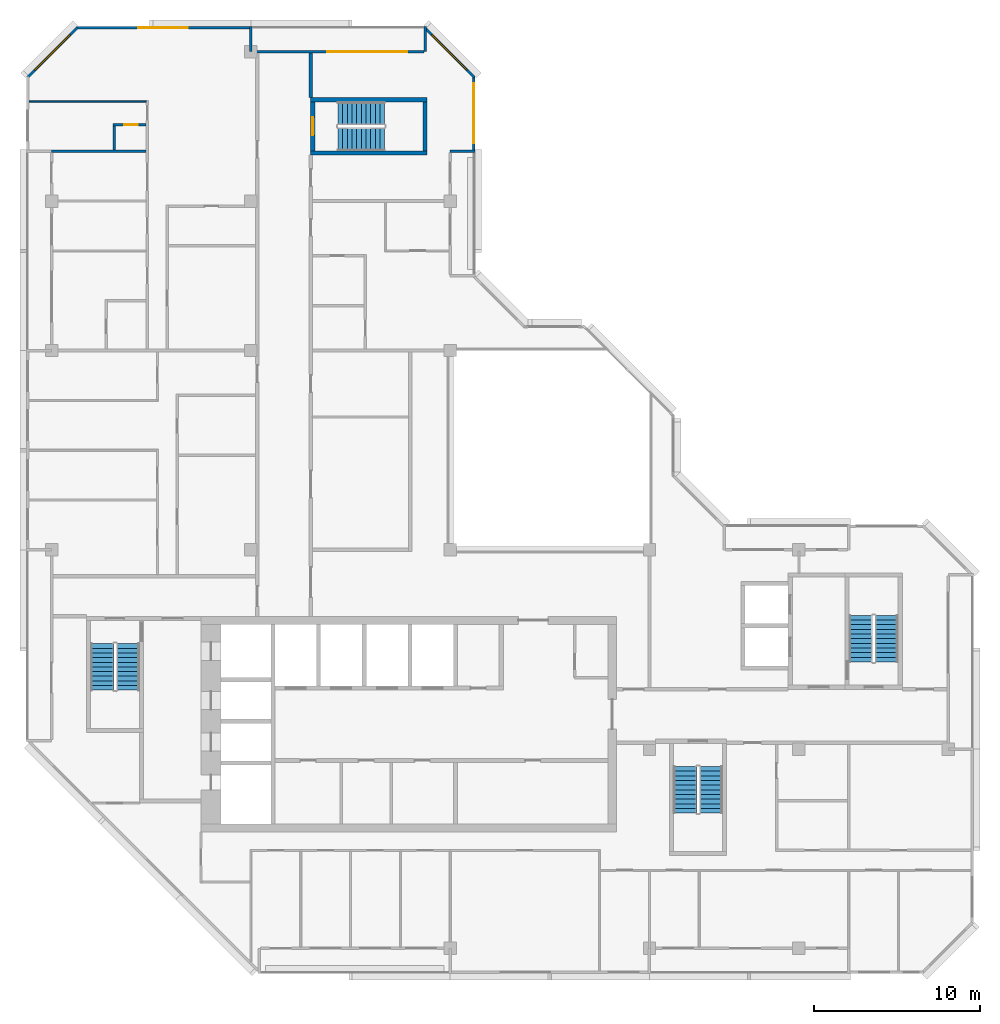
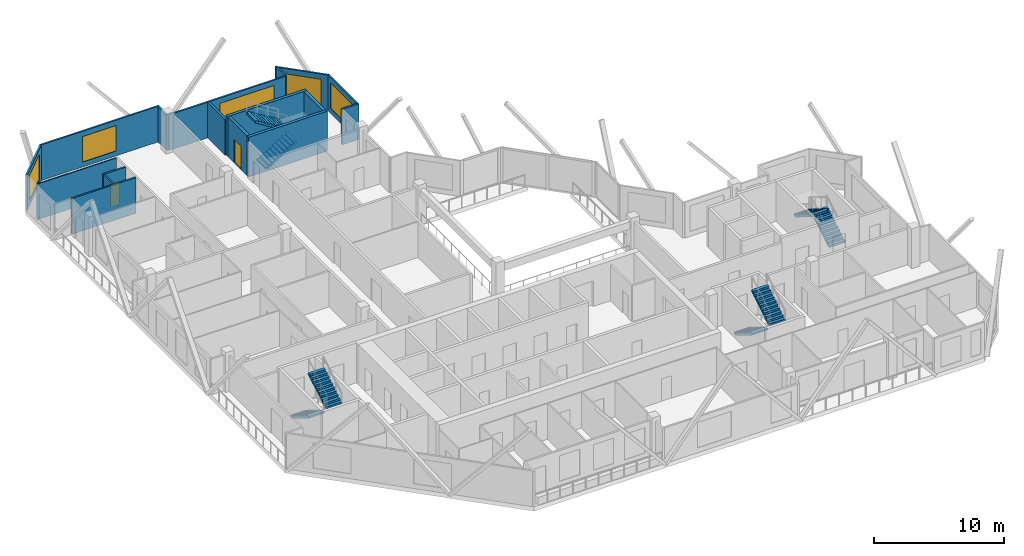
# One storey, part 9 of 11: 17 walls, 8 stair flights, 5 windows, 2 doors, 7 openings, 4 elements without a shape of their own.
"""IFC4 building model written with IfcOpenShell, lengths in metres."""

import ifcopenshell
import ifcopenshell.guid

model = None  # the IFC model being written
_history = None  # IfcOwnerHistory: only IFC2X3 demands one
_inside = {}  # id of a spatial element -> (the spatial element, [elements in it])
_under = {}  # id of a project, library or spatial element -> (it, [spatial elements below it])
_declared = {}  # id of a project -> (the project, [libraries it declares])
_typed = {}  # id of a type object -> (the type object, [elements of that type])
_made_of = {}  # id of a material, layer set ... -> (it, [elements and type objects made of it])


def new_model(schema):
    """Start an empty IFC model of exactly this schema.

    Asked for "IFC4X3", IfcOpenShell would pick the latest addendum, in which some entities
    have other attributes; the version numbers below select the first issue.
    IFC2X3 requires an IfcOwnerHistory on every rooted entity: one is made here for all.
    """
    global model, _history
    if schema == "IFC4X3":
        model = ifcopenshell.file(schema_version=(4, 3, 0, 0))
    else:
        model = ifcopenshell.file(schema=schema)
    _inside.clear()
    _under.clear()
    _declared.clear()
    _typed.clear()
    _made_of.clear()
    _history = None
    if model.schema == "IFC2X3":
        org = make("IfcOrganization", Name="unknown")
        user = make(
            "IfcPersonAndOrganization",
            ThePerson=make("IfcPerson", FamilyName="unknown"),
            TheOrganization=org,
        )
        app = make(
            "IfcApplication",
            ApplicationDeveloper=org,
            Version="unknown",
            ApplicationFullName="unknown",
            ApplicationIdentifier="unknown",
        )
        _history = make(
            "IfcOwnerHistory",
            OwningUser=user,
            OwningApplication=app,
            ChangeAction="ADDED",
            CreationDate=0,
        )
    return model


def make(cls, **values):
    """One entity of the class cls with the attributes given. An attribute that is None is left unset."""
    return model.create_entity(
        cls, **{name: value for name, value in values.items() if value is not None}
    )


def rooted(cls, **values):
    """An entity with a GlobalId (a new one), such as an element, a storey or a relation."""
    return make(cls, GlobalId=ifcopenshell.guid.new(), OwnerHistory=_history, **values)


def si_unit(unit_type, name, prefix=None):
    """IfcSIUnit, for example si_unit("LENGTHUNIT", "METRE", prefix="MILLI")."""
    return make("IfcSIUnit", UnitType=unit_type, Prefix=prefix, Name=name)


def assignment(units):
    """IfcUnitAssignment: the units of a project."""
    return None if units is None else make("IfcUnitAssignment", Units=units)


def point(xyz):
    """IfcCartesianPoint."""
    return None if xyz is None else make("IfcCartesianPoint", Coordinates=xyz)


def direction(xyz):
    """IfcDirection."""
    return None if xyz is None else make("IfcDirection", DirectionRatios=xyz)


def frame(location, z_axis=None, x_axis=None):
    """IfcAxis2Placement3D, a coordinate frame: its origin and axes. An axis left out is left unset."""
    return make(
        "IfcAxis2Placement3D",
        Location=point(location),
        Axis=direction(z_axis),
        RefDirection=direction(x_axis),
    )


def frame_2d(location, x_axis=None):
    """IfcAxis2Placement2D, a coordinate frame in the plane: its origin and x axis."""
    return make(
        "IfcAxis2Placement2D", Location=point(location), RefDirection=direction(x_axis)
    )


def origin():
    """The frame at (0, 0, 0) with its axes left unset."""
    return frame((0.0, 0.0, 0.0))


def place(relative_to, where):
    """IfcLocalPlacement: puts the frame where relative to a parent placement (None: the world)."""
    return make(
        "IfcLocalPlacement", PlacementRelTo=relative_to, RelativePlacement=where
    )


def context(
    kind, dimensions, precision=None, world=None, true_north=None, identifier=None
):
    """IfcGeometricRepresentationContext, for example the 3D "Model" context."""
    return make(
        "IfcGeometricRepresentationContext",
        ContextIdentifier=identifier,
        ContextType=kind,
        CoordinateSpaceDimension=dimensions,
        Precision=precision,
        WorldCoordinateSystem=world,
        TrueNorth=true_north,
    )


def subcontext(parent, identifier, kind, view, scale=None):
    """IfcGeometricRepresentationSubContext, for example "Body" below "Model"."""
    return make(
        "IfcGeometricRepresentationSubContext",
        ContextIdentifier=identifier,
        ContextType=kind,
        ParentContext=parent,
        TargetScale=scale,
        TargetView=view,
    )


def project(units=None, contexts=None):
    """IfcProject with its units and contexts."""
    return rooted(
        "IfcProject",
        Name="project",
        RepresentationContexts=contexts,
        UnitsInContext=assignment(units),
    )


def spatial(cls, under=None, at=None, **own):
    """A site, building, storey or space (cls), placed at a placement, below another one or the project."""
    s = rooted(cls, ObjectPlacement=at, **own)
    if under is not None:
        _under.setdefault(under.id(), (under, []))[1].append(s)
    return s


def polyline(points):
    """IfcPolyline through the points."""
    return make("IfcPolyline", Points=[point(p) for p in points])


def profile(cls, at=None, kind="AREA", **sizes):
    """A parametric profile (cls). Its sizes go by their IFC names, for example OverallWidth=200.0."""
    return make(cls, ProfileType=kind, Position=at, **sizes)


def rectangle(**sizes):
    """IfcRectangleProfileDef."""
    return profile("IfcRectangleProfileDef", **sizes)


def outline(outer, holes=None, kind="AREA"):
    """IfcArbitraryClosedProfileDef: a profile drawn as a closed curve; with holes, ...WithVoids."""
    if holes is None:
        return make("IfcArbitraryClosedProfileDef", ProfileType=kind, OuterCurve=outer)
    return make(
        "IfcArbitraryProfileDefWithVoids",
        ProfileType=kind,
        OuterCurve=outer,
        InnerCurves=holes,
    )


def extrude(swept, where, along, depth):
    """IfcExtrudedAreaSolid: the profile swept, set in the frame where, extruded along a direction by depth."""
    return make(
        "IfcExtrudedAreaSolid",
        SweptArea=swept,
        Position=where,
        ExtrudedDirection=direction(along),
        Depth=depth,
    )


def shape(context_of_items, identifier, shape_type, items):
    """IfcShapeRepresentation: the items that make up one representation, for example the "Body"."""
    return make(
        "IfcShapeRepresentation",
        ContextOfItems=context_of_items,
        RepresentationIdentifier=identifier,
        RepresentationType=shape_type,
        Items=items,
    )


def material(Name=None, Category=None):
    """IfcMaterial."""
    return make("IfcMaterial", Name=Name, Category=Category)


def layer(
    of_material, thickness, ventilated=None, Name=None, Category=None, Priority=None
):
    """IfcMaterialLayer: one layer of a wall or slab, of a material (None: an air gap)."""
    return make(
        "IfcMaterialLayer",
        Material=of_material,
        LayerThickness=thickness,
        IsVentilated=ventilated,
        Name=Name,
        Category=Category,
        Priority=Priority,
    )


def layer_set(layers, Name=None):
    """IfcMaterialLayerSet."""
    return make("IfcMaterialLayerSet", MaterialLayers=layers, LayerSetName=Name)


def made_of(thing, what):
    """Note that an element or type object is made of a material, layer set ...; save() writes the relation."""
    if what is not None:
        _made_of.setdefault(what.id(), (what, []))[1].append(thing)
    return thing


def type_object(cls, material=None, **own):
    """A type object (cls), such as IfcWallType, which elements share."""
    return made_of(rooted(cls, **own), material)


def element(
    cls,
    number,
    at=None,
    inside=None,
    cuts=None,
    type_object=None,
    material=None,
    context=None,
    identifier="Body",
    shape_type=None,
    held_by="IfcProductDefinitionShape",
    body=None,
    shapes=None,
    **own,
):
    """One element of the class cls, such as IfcWall. Its Tag is "e" and its number.

    at: its placement. inside: the storey or other place that contains it. cuts: it is an
    opening in that element (IfcRelVoidsElement). A single representation is given by context,
    identifier, shape_type and body (its items); several are given by shapes. held_by: the class
    of the entity that holds the representations. save() writes the other relations.
    """
    e = rooted(cls, Tag="e%d" % number, ObjectPlacement=at, **own)
    if body is not None:
        shapes = [shape(context, identifier, shape_type, body)]
    if shapes is not None:
        e.Representation = make(held_by, Representations=shapes)
    if inside is not None:
        _inside.setdefault(inside.id(), (inside, []))[1].append(e)
    if cuts is not None:
        rooted(
            "IfcRelVoidsElement", RelatingBuildingElement=cuts, RelatedOpeningElement=e
        )
    if type_object is not None:
        _typed.setdefault(type_object.id(), (type_object, []))[1].append(e)
    return made_of(e, material)


def fill(opening, filler):
    """IfcRelFillsElement: the door or window that sits in an opening."""
    return rooted(
        "IfcRelFillsElement",
        RelatingOpeningElement=opening,
        RelatedBuildingElement=filler,
    )


def aggregate(whole, parts):
    """IfcRelAggregates: a whole, such as a stair, and the parts it consists of."""
    return rooted("IfcRelAggregates", RelatingObject=whole, RelatedObjects=parts)


def save(model, path):
    """Write the relations noted so far, then the file.

    IfcRelAggregates (storeys below a building ...), IfcRelContainedInSpatialStructure (elements
    in a storey), IfcRelDefinesByType, IfcRelAssociatesMaterial and IfcRelDeclares: one each for
    every whole, place, type object, material and project.
    """
    for whole, parts in _under.values():
        aggregate(whole, parts)
    for where, things in _inside.values():
        rooted(
            "IfcRelContainedInSpatialStructure",
            RelatedElements=things,
            RelatingStructure=where,
        )
    for kind, things in _typed.values():
        rooted("IfcRelDefinesByType", RelatedObjects=things, RelatingType=kind)
    for what, things in _made_of.values():
        rooted("IfcRelAssociatesMaterial", RelatedObjects=things, RelatingMaterial=what)
    for by, libraries in _declared.values():
        rooted("IfcRelDeclares", RelatingContext=by, RelatedDefinitions=libraries)
    model.write(path)


model = new_model("IFC4")

# Units and contexts
model_context = context("Model", 3, precision=1e-05, world=origin(), true_north=direction((0.0, 1.0)))
body_context = subcontext(model_context, "Body", "Model", "MODEL_VIEW")
ifc_project = project(units=[si_unit("LENGTHUNIT", "METRE"), si_unit("AREAUNIT", "SQUARE_METRE"), si_unit("VOLUMEUNIT", "CUBIC_METRE"), si_unit("PLANEANGLEUNIT", "RADIAN"), si_unit("MASSUNIT", "GRAM", prefix="KILO")], contexts=[model_context])

# Site, building, storey
site_placement = place(None, origin())
site = spatial("IfcSite", under=ifc_project, at=site_placement, CompositionType="ELEMENT")
building_placement = place(site_placement, origin())
building = spatial("IfcBuilding", under=site, at=building_placement, Name="Chenar Terraces", CompositionType="ELEMENT")
storey_placement = place(building_placement, frame((0.0, 0.0, 376.39990234375)))
storey = spatial("IfcBuildingStorey", under=building, at=storey_placement, Name="L88", CompositionType="ELEMENT", Elevation=376.39990234375)

# Walls
ifc_material_1 = material(Name="Concrete C50/60", Category="concrete")
ifc_layer_1 = layer(ifc_material_1, 0.25)
ifc_layer_set_1 = layer_set([ifc_layer_1], Name="Concrete C50/60")
wall_type_1 = type_object("IfcWallType", Name="Core wall 250 Concrete C50/60", PredefinedType="SHEAR", material=ifc_layer_set_1)
for number, where, z_axis, x_axis, name in (
    (1, (15.60009765625, 47.89990234375, 0.0), (0.0, 0.0, 1.0), (1.0, 0.0, 0.0), "Core wall ST4_S L88"),
    (2, (15.60009765625, 51.10009765625, 0.0), (0.0, 0.0, 1.0), (1.0, 0.0, 0.0), "Core wall ST4_N L88"),
):
    element("IfcWall", number, at=place(storey_placement, frame(where, z_axis=z_axis, x_axis=x_axis)), inside=storey, type_object=wall_type_1, Name=name, PredefinedType="SHEAR", context=body_context, shape_type="SweptSolid", body=[
        extrude(rectangle(XDim=7.0, YDim=0.25, at=frame_2d((3.5, 0.0))), origin(), (0.0, 0.0, 1.0), 3.75),
    ])

# Wall, opening, door
wall_1_placement = place(storey_placement, frame((15.72509765625, 48.02490234375, 0.0), z_axis=(0.0, 0.0, 1.0), x_axis=(0.0, 1.0, 0.0)))
wall_1 = element("IfcWall", 3, at=wall_1_placement, inside=storey, type_object=wall_type_1, Name="Core wall ST4_W L88", PredefinedType="SHEAR", context=body_context, shape_type="SweptSolid", body=[
    extrude(rectangle(XDim=2.9501953125, YDim=0.25, at=frame_2d((1.47509765625, 0.0))), origin(), (0.0, 0.0, 1.0), 3.75),
])
opening_1_placement = place(wall_1_placement, frame((0.925048828125, 0.0, 0.0)))
opening_1 = element("IfcOpeningElement", 4, at=opening_1_placement, cuts=wall_1, Name="Opening DL88-C9", PredefinedType="OPENING", context=body_context, shape_type="SweptSolid", body=[
    extrude(rectangle(XDim=1.10009765625, YDim=2.199951171875, at=frame_2d((0.550048828125, 1.10009765625))), frame((0.0, 0.135009765625, 0.0), z_axis=(0.0, -1.0, 0.0), x_axis=(1.0, 0.0, 0.0)), (0.0, 0.0, 1.0), 0.27001953125),
])
ifc_material_2 = material(Name="Steel-framed fire-resisting door leaf", Category="steel")
door_type_1 = type_object("IfcDoorType", Name="Stair fire door FD60 1100 x 2200", OperationType="SINGLE_SWING_LEFT", PredefinedType="DOOR", material=ifc_material_2)
door_1_placement = place(opening_1_placement, frame((1.10009765625, 0.0, 0.0), z_axis=(0.0, 0.0, 1.0), x_axis=(-1.0, 0.0, 0.0)))
door_1 = element("IfcDoor", 5, at=door_1_placement, inside=storey, type_object=door_type_1, Name="Stair door DL88-C9", OperationType="SINGLE_SWING_RIGHT", OverallHeight=2.199951171875, OverallWidth=1.10009765625, PredefinedType="DOOR", context=body_context, shape_type="SweptSolid", body=[
    extrude(rectangle(XDim=1.10009765625, YDim=2.199951171875, at=frame_2d((0.550048828125, 1.10009765625))), frame((0.0, 0.02490234375, 0.0), z_axis=(0.0, -1.0, 0.0), x_axis=(1.0, 0.0, 0.0)), (0.0, 0.0, 1.0), 0.050048828125),
])
fill(opening_1, door_1)

# Walls
wall_2_placement = place(storey_placement, frame((22.47509765625, 48.02490234375, 0.0), z_axis=(0.0, 0.0, 1.0), x_axis=(0.0, 1.0, 0.0)))
element("IfcWall", 6, at=wall_2_placement, inside=storey, type_object=wall_type_1, Name="Core wall ST4_E L88", PredefinedType="SHEAR", context=body_context, shape_type="SweptSolid", body=[
    extrude(rectangle(XDim=2.9501953125, YDim=0.25, at=frame_2d((1.47509765625, 0.0))), origin(), (0.0, 0.0, 1.0), 3.75),
])
ifc_material_3 = material(Name="Gypsum board on steel studs with fire boards", Category="steel")
ifc_layer_2 = layer(ifc_material_3, 0.199951171875)
ifc_layer_set_2 = layer_set([ifc_layer_2], Name="Gypsum board on steel studs with fire boards")
wall_type_2 = type_object("IfcWallType", Name="Corridor wall 200", PredefinedType="PARTITIONING", material=ifc_layer_set_2)
wall_3_placement = place(storey_placement, frame((15.60009765625, 51.22509765625, 0.0), z_axis=(0.0, 0.0, 1.0), x_axis=(0.0, 1.0, 0.0)))
element("IfcWall", 7, at=wall_3_placement, inside=storey, type_object=wall_type_2, Name="Partition L88-032", PredefinedType="PARTITIONING", context=body_context, shape_type="SweptSolid", body=[
    extrude(rectangle(XDim=2.700927734375, YDim=0.199951171875, at=frame_2d((1.3505859375, 0.0))), origin(), (0.0, 0.0, 1.0), 3.35009765625),
])

# Wall, opening, window
ifc_material_4 = material(Name="Aluminium framed glazing", Category="aluminium")
ifc_layer_3 = layer(ifc_material_4, 0.14990234375)
ifc_layer_set_3 = layer_set([ifc_layer_3], Name="Aluminium framed glazing")
wall_type_3 = type_object("IfcWallType", Name="Glazed flush facade wall 150", PredefinedType="SOLIDWALL", material=ifc_layer_set_3)
wall_4_placement = place(storey_placement, frame((25.425048828125, 48.074951171875, 0.0), z_axis=(0.0, 0.0, 1.0), x_axis=(0.0, 1.0, 0.0)))
wall_4 = element("IfcWall", 8, at=wall_4_placement, inside=storey, type_object=wall_type_3, Name="Glazed flush facade wall", PredefinedType="SOLIDWALL", context=body_context, shape_type="SweptSolid", body=[
    extrude(rectangle(XDim=4.425048828125, YDim=0.14990234375, at=frame_2d((2.21240234375, 0.0))), origin(), (0.0, 0.0, 1.0), 3.35009765625),
])
opening_2_placement = place(wall_4_placement, frame((0.41259765625, 0.0, 0.449951171875)))
opening_2 = element("IfcOpeningElement", 9, at=opening_2_placement, cuts=wall_4, Name="Opening W360x240", PredefinedType="OPENING", context=body_context, shape_type="SweptSolid", body=[
    extrude(rectangle(XDim=3.60009765625, YDim=2.39990234375, at=frame_2d((1.800048828125, 1.199951171875))), frame((0.0, 0.0849609375, 0.0), z_axis=(0.0, -1.0, 0.0), x_axis=(1.0, 0.0, 0.0)), (0.0, 0.0, 1.0), 0.169921875),
])
ifc_material_5 = material(Name="Low emissivity double glazing, aluminium frame", Category="aluminium")
window_type_1 = type_object("IfcWindowType", Name="Fixed light 3600 x 2400", PartitioningType="SINGLE_PANEL", PredefinedType="WINDOW", material=ifc_material_5)
window_1_placement = place(opening_2_placement, origin())
window_1 = element("IfcWindow", 10, at=window_1_placement, inside=storey, type_object=window_type_1, Name="Window", OverallHeight=2.39990234375, OverallWidth=3.60009765625, PartitioningType="SINGLE_PANEL", PredefinedType="WINDOW", context=body_context, shape_type="SweptSolid", body=[
    extrude(rectangle(XDim=3.60009765625, YDim=2.39990234375, at=frame_2d((1.800048828125, 1.199951171875))), frame((0.0, 0.030029296875, 0.0), z_axis=(0.0, -1.0, 0.0), x_axis=(1.0, 0.0, 0.0)), (0.0, 0.0, 1.0), 0.06005859375),
])
fill(opening_2, window_1)

wall_5_placement = place(storey_placement, frame((11.925048828125, 55.425048828125, 0.0), z_axis=(0.0, 0.0, 1.0), x_axis=(-1.0, 0.0, 0.0)))
wall_5 = element("IfcWall", 11, at=wall_5_placement, inside=storey, type_object=wall_type_3, Name="Glazed flush facade wall", PredefinedType="SOLIDWALL", context=body_context, shape_type="SweptSolid", body=[
    extrude(rectangle(XDim=10.425048828125, YDim=0.14990234375, at=frame_2d((5.21240234375, 0.0))), origin(), (0.0, 0.0, 1.0), 3.35009765625),
])
opening_3_placement = place(wall_5_placement, frame((3.71240234375, 0.0, 0.449951171875)))
opening_3 = element("IfcOpeningElement", 12, at=opening_3_placement, cuts=wall_5, Name="Opening W300x240", PredefinedType="OPENING", context=body_context, shape_type="SweptSolid", body=[
    extrude(rectangle(XDim=3.0, YDim=2.39990234375, at=frame_2d((1.5, 1.199951171875))), frame((0.0, 0.0849609375, 0.0), z_axis=(0.0, -1.0, 0.0), x_axis=(1.0, 0.0, 0.0)), (0.0, 0.0, 1.0), 0.169921875),
])
ifc_material_6 = material(Name="Low emissivity double glazing, aluminium frame", Category="aluminium")
window_type_2 = type_object("IfcWindowType", Name="Fixed light 3000 x 2400", PartitioningType="SINGLE_PANEL", PredefinedType="WINDOW", material=ifc_material_6)
window_2_placement = place(opening_3_placement, origin())
window_2 = element("IfcWindow", 13, at=window_2_placement, inside=storey, type_object=window_type_2, Name="Window", OverallHeight=2.39990234375, OverallWidth=3.0, PartitioningType="SINGLE_PANEL", PredefinedType="WINDOW", context=body_context, shape_type="SweptSolid", body=[
    extrude(rectangle(XDim=3.0, YDim=2.39990234375, at=frame_2d((1.5, 1.199951171875))), frame((0.0, 0.030029296875, 0.0), z_axis=(0.0, -1.0, 0.0), x_axis=(1.0, 0.0, 0.0)), (0.0, 0.0, 1.0), 0.06005859375),
])
fill(opening_3, window_2)

ifc_material_7 = material(Name="Aluminium framed glazing", Category="aluminium")
ifc_layer_4 = layer(ifc_material_7, 0.14990234375)
ifc_layer_set_4 = layer_set([ifc_layer_4], Name="Aluminium framed glazing")
wall_type_4 = type_object("IfcWallType", Name="Glazed loggia back wall 150", PredefinedType="SOLIDWALL", material=ifc_layer_set_4)
wall_6_placement = place(storey_placement, frame((22.425048828125, 54.0, 0.0), z_axis=(0.0, 0.0, 1.0), x_axis=(-1.0, 0.0, 0.0)))
wall_6 = element("IfcWall", 14, at=wall_6_placement, inside=storey, type_object=wall_type_4, Name="Glazed loggia back wall", PredefinedType="SOLIDWALL", context=body_context, shape_type="SweptSolid", body=[
    extrude(rectangle(XDim=10.35009765625, YDim=0.14990234375, at=frame_2d((5.175048828125, 0.0))), origin(), (0.0, 0.0, 1.0), 3.35009765625),
])
opening_4_placement = place(wall_6_placement, frame((1.012451171875, 0.0, 0.449951171875)))
opening_4 = element("IfcOpeningElement", 15, at=opening_4_placement, cuts=wall_6, Name="Opening W480x240", PredefinedType="OPENING", context=body_context, shape_type="SweptSolid", body=[
    extrude(rectangle(XDim=4.800048828125, YDim=2.39990234375, at=frame_2d((2.39990234375, 1.199951171875))), frame((0.0, 0.0849609375, 0.0), z_axis=(0.0, -1.0, 0.0), x_axis=(1.0, 0.0, 0.0)), (0.0, 0.0, 1.0), 0.169921875),
])
ifc_material_8 = material(Name="Low emissivity double glazing, aluminium frame", Category="aluminium")
window_type_3 = type_object("IfcWindowType", Name="Fixed light 4800 x 2400", PartitioningType="SINGLE_PANEL", PredefinedType="WINDOW", material=ifc_material_8)
window_3_placement = place(opening_4_placement, origin())
window_3 = element("IfcWindow", 16, at=window_3_placement, inside=storey, type_object=window_type_3, Name="Window", OverallHeight=2.39990234375, OverallWidth=4.800048828125, PartitioningType="SINGLE_PANEL", PredefinedType="WINDOW", context=body_context, shape_type="SweptSolid", body=[
    extrude(rectangle(XDim=4.800048828125, YDim=2.39990234375, at=frame_2d((2.39990234375, 1.199951171875))), frame((0.0, 0.030029296875, 0.0), z_axis=(0.0, -1.0, 0.0), x_axis=(1.0, 0.0, 0.0)), (0.0, 0.0, 1.0), 0.06005859375),
])
fill(opening_4, window_3)

# Walls
ifc_material_9 = material(Name="Gypsum board on steel studs", Category="steel")
ifc_layer_5 = layer(ifc_material_9, 0.10009765625)
ifc_layer_set_5 = layer_set([ifc_layer_5], Name="Gypsum board on steel studs")
wall_type_5 = type_object("IfcWallType", Name="Gypsum partition 100", PredefinedType="PARTITIONING", material=ifc_layer_set_5)
wall_7_placement = place(storey_placement, frame((-1.35009765625, 51.0, 0.0), z_axis=(0.0, 0.0, 1.0), x_axis=(1.0, 0.0, 0.0)))
element("IfcWall", 17, at=wall_7_placement, inside=storey, type_object=wall_type_5, Name="Partition L88-006", PredefinedType="PARTITIONING", context=body_context, shape_type="SweptSolid", body=[
    extrude(rectangle(XDim=7.050048828125, YDim=0.10009765625, at=frame_2d((3.52490234375, 0.0))), origin(), (0.0, 0.0, 1.0), 3.35009765625),
])
ifc_material_10 = material(Name="Terracotta cladding on insulated backing", Category="masonry")
ifc_layer_6 = layer(ifc_material_10, 0.14990234375)
ifc_layer_set_6 = layer_set([ifc_layer_6], Name="Terracotta cladding on insulated backing")
wall_type_6 = type_object("IfcWallType", Name="Loggia return wall 150", PredefinedType="SOLIDWALL", material=ifc_layer_set_6)
for number, where, z_axis, x_axis, name in (
    (18, (25.5, 48.0, 0.0), (0.0, 0.0, 1.0), (-1.0, 0.0, 0.0), "Loggia return wall"),
    (19, (22.5, 55.5, 0.0), (0.0, 0.0, 1.0), (0.0, -1.0, 0.0), "Loggia return wall"),
    (20, (12.0, 55.5, 0.0), (0.0, 0.0, 1.0), (0.0, -1.0, 0.0), "Loggia return wall"),
):
    element("IfcWall", number, at=place(storey_placement, frame(where, z_axis=z_axis, x_axis=x_axis)), inside=storey, type_object=wall_type_6, Name=name, PredefinedType="SOLIDWALL", context=body_context, shape_type="SweptSolid", body=[
        extrude(rectangle(XDim=1.5, YDim=0.14990234375, at=frame_2d((0.75, 0.0))), origin(), (0.0, 0.0, 1.0), 3.35009765625),
    ])

# Wall, opening, window
ifc_material_11 = material(Name="Terracotta cladding on insulated backing", Category="masonry")
ifc_layer_7 = layer(ifc_material_11, 0.14990234375)
ifc_layer_set_7 = layer_set([ifc_layer_7], Name="Terracotta cladding on insulated backing")
wall_type_7 = type_object("IfcWallType", Name="Terracotta rainscreen wall 150", PredefinedType="SOLIDWALL", material=ifc_layer_set_7)
wall_8_placement = place(storey_placement, frame((25.447021484375, 52.447021484375, 0.0), z_axis=(0.0, 0.0, 1.0), x_axis=(-0.707106781187, 0.707106781187, 0.0)))
wall_8 = element("IfcWall", 21, at=wall_8_placement, inside=storey, type_object=wall_type_7, Name="Terracotta rainscreen wall", PredefinedType="SOLIDWALL", context=body_context, shape_type="SweptSolid", body=[
    extrude(rectangle(XDim=4.24267578125, YDim=0.14990234375, at=frame_2d((2.121337890625, 0.0))), origin(), (0.0, 0.0, 1.0), 3.35009765625),
])
opening_5_placement = place(wall_8_placement, frame((0.621337890625, 0.0, 0.449951171875)))
opening_5 = element("IfcOpeningElement", 22, at=opening_5_placement, cuts=wall_8, Name="Opening W300x240", PredefinedType="OPENING", context=body_context, shape_type="SweptSolid", body=[
    extrude(rectangle(XDim=3.0, YDim=2.39990234375, at=frame_2d((1.5, 1.199951171875))), frame((0.0, 0.0849609375, 0.0), z_axis=(0.0, -1.0, 0.0), x_axis=(1.0, 0.0, 0.0)), (0.0, 0.0, 1.0), 0.169921875),
])
window_4_placement = place(opening_5_placement, origin())
window_4 = element("IfcWindow", 23, at=window_4_placement, inside=storey, type_object=window_type_2, Name="Window", OverallHeight=2.39990234375, OverallWidth=3.0, PartitioningType="SINGLE_PANEL", PredefinedType="WINDOW", context=body_context, shape_type="SweptSolid", body=[
    extrude(rectangle(XDim=3.0, YDim=2.39990234375, at=frame_2d((1.5, 1.199951171875))), frame((0.0, 0.030029296875, 0.0), z_axis=(0.0, -1.0, 0.0), x_axis=(1.0, 0.0, 0.0)), (0.0, 0.0, 1.0), 0.06005859375),
])
fill(opening_5, window_4)

wall_9_placement = place(storey_placement, frame((1.552978515625, 55.447021484375, 0.0), z_axis=(0.0, 0.0, 1.0), x_axis=(-0.707106781187, -0.707106781187, 0.0)))
wall_9 = element("IfcWall", 24, at=wall_9_placement, inside=storey, type_object=wall_type_7, Name="Terracotta rainscreen wall", PredefinedType="SOLIDWALL", context=body_context, shape_type="SweptSolid", body=[
    extrude(rectangle(XDim=4.24267578125, YDim=0.14990234375, at=frame_2d((2.121337890625, 0.0))), origin(), (0.0, 0.0, 1.0), 3.35009765625),
])
opening_6_placement = place(wall_9_placement, frame((0.621337890625, 0.0, 0.449951171875)))
opening_6 = element("IfcOpeningElement", 25, at=opening_6_placement, cuts=wall_9, Name="Opening W300x240", PredefinedType="OPENING", context=body_context, shape_type="SweptSolid", body=[
    extrude(rectangle(XDim=3.0, YDim=2.39990234375, at=frame_2d((1.5, 1.199951171875))), frame((0.0, 0.0849609375, 0.0), z_axis=(0.0, -1.0, 0.0), x_axis=(1.0, 0.0, 0.0)), (0.0, 0.0, 1.0), 0.169921875),
])
window_5_placement = place(opening_6_placement, origin())
window_5 = element("IfcWindow", 26, at=window_5_placement, inside=storey, type_object=window_type_2, Name="Window", OverallHeight=2.39990234375, OverallWidth=3.0, PartitioningType="SINGLE_PANEL", PredefinedType="WINDOW", context=body_context, shape_type="SweptSolid", body=[
    extrude(rectangle(XDim=3.0, YDim=2.39990234375, at=frame_2d((1.5, 1.199951171875))), frame((0.0, 0.030029296875, 0.0), z_axis=(0.0, -1.0, 0.0), x_axis=(1.0, 0.0, 0.0)), (0.0, 0.0, 1.0), 0.06005859375),
])
fill(opening_6, window_5)

# Wall
ifc_material_12 = material(Name="Moisture-resistant gypsum board on steel studs", Category="steel")
ifc_layer_8 = layer(ifc_material_12, 0.14990234375)
ifc_layer_set_8 = layer_set([ifc_layer_8], Name="Moisture-resistant gypsum board on steel studs")
wall_type_8 = type_object("IfcWallType", Name="Wet-room partition 150", PredefinedType="PARTITIONING", material=ifc_layer_set_8)
wall_10_placement = place(storey_placement, frame((0.0, 48.0, 0.0), z_axis=(0.0, 0.0, 1.0), x_axis=(1.0, 0.0, 0.0)))
element("IfcWall", 27, at=wall_10_placement, inside=storey, type_object=wall_type_8, Name="Partition L88-005", PredefinedType="PARTITIONING", context=body_context, shape_type="SweptSolid", body=[
    extrude(rectangle(XDim=5.699951171875, YDim=0.14990234375, at=frame_2d((2.85009765625, 0.0))), origin(), (0.0, 0.0, 1.0), 3.35009765625),
])

# Wall, opening, door
wall_11_placement = place(storey_placement, frame((3.699951171875, 49.60009765625, 0.0), z_axis=(0.0, 0.0, 1.0), x_axis=(1.0, 0.0, 0.0)))
wall_11 = element("IfcWall", 28, at=wall_11_placement, inside=storey, type_object=wall_type_8, Name="Partition L88-014", PredefinedType="PARTITIONING", context=body_context, shape_type="SweptSolid", body=[
    extrude(rectangle(XDim=2.0, YDim=0.14990234375, at=frame_2d((1.0, 0.0))), origin(), (0.0, 0.0, 1.0), 3.35009765625),
])
opening_7_placement = place(wall_11_placement, frame((0.675048828125, 0.0, 0.0)))
opening_7 = element("IfcOpeningElement", 29, at=opening_7_placement, cuts=wall_11, Name="Opening DL88-15", PredefinedType="OPENING", context=body_context, shape_type="SweptSolid", body=[
    extrude(rectangle(XDim=0.800048828125, YDim=2.10009765625, at=frame_2d((0.39990234375, 1.050048828125))), frame((0.0, 0.0849609375, 0.0), z_axis=(0.0, -1.0, 0.0), x_axis=(1.0, 0.0, 0.0)), (0.0, 0.0, 1.0), 0.169921875),
])
ifc_material_13 = material(Name="Veneered timber door leaf", Category="wood")
door_type_2 = type_object("IfcDoorType", Name="Door 800 x 2100", OperationType="SINGLE_SWING_LEFT", PredefinedType="DOOR", material=ifc_material_13)
door_2_placement = place(opening_7_placement, frame((0.800048828125, 0.0, 0.0), z_axis=(0.0, 0.0, 1.0), x_axis=(-1.0, 0.0, 0.0)))
door_2 = element("IfcDoor", 30, at=door_2_placement, inside=storey, type_object=door_type_2, Name="Door DL88-15", OperationType="SINGLE_SWING_RIGHT", OverallHeight=2.10009765625, OverallWidth=0.800048828125, PredefinedType="DOOR", context=body_context, shape_type="SweptSolid", body=[
    extrude(rectangle(XDim=0.800048828125, YDim=2.10009765625, at=frame_2d((0.39990234375, 1.050048828125))), frame((0.0, 0.02490234375, 0.0), z_axis=(0.0, -1.0, 0.0), x_axis=(1.0, 0.0, 0.0)), (0.0, 0.0, 1.0), 0.050048828125),
])
fill(opening_7, door_2)

# Wall
wall_12_placement = place(storey_placement, frame((3.77490234375, 48.074951171875, 0.0), z_axis=(0.0, 0.0, 1.0), x_axis=(0.0, 1.0, 0.0)))
element("IfcWall", 31, at=wall_12_placement, inside=storey, type_object=wall_type_8, Name="Partition L88-015", PredefinedType="PARTITIONING", context=body_context, shape_type="SweptSolid", body=[
    extrude(rectangle(XDim=1.449951171875, YDim=0.14990234375, at=frame_2d((0.72509765625, 0.0))), origin(), (0.0, 0.0, 1.0), 3.35009765625),
])

# Stair, stair flights
ifc_material_14 = material(Name="Reinforced concrete C40/50", Category="concrete")
stair_type = type_object("IfcStairType", Name="Core stair 1400 half-turn", PredefinedType="HALF_TURN_STAIR", material=ifc_material_14)
placement = place(storey_placement, origin())
stair_1 = element("IfcStair", 32, at=placement, inside=storey, type_object=stair_type, Name="L88 Stair 1", PredefinedType="HALF_TURN_STAIR")
ifc_material_15 = material(Name="Reinforced concrete C40/50", Category="concrete")
stair_flight_type = type_object("IfcStairFlightType", Name="Core stair flight 1400", PredefinedType="STRAIGHT", material=ifc_material_15)
stair_flight_1_placement = place(storey_placement, frame((3.050048828125, 18.35009765625, 0.0), z_axis=(0.0, 0.0, 1.0), x_axis=(0.0, -1.0, 0.0)))
stair_flight_1 = element("IfcStairFlight", 33, at=stair_flight_1_placement, type_object=stair_flight_type, Name="ST1 flight 1", NumberOfRisers=11, NumberOfTreads=10, PredefinedType="STRAIGHT", RiserHeight=0.170454545, TreadLength=0.28, context=body_context, shape_type="SweptSolid", body=[
    extrude(outline(polyline([(-0.0029296875, 0.0), (-0.0029296875, 0.17041015625), (0.0, 0.17041015625), (0.280029296875, 0.17041015625), (0.280029296875, 0.3408203125), (0.56005859375, 0.3408203125), (0.56005859375, 0.511474609375), (0.840087890625, 0.511474609375), (0.840087890625, 0.681884765625), (1.1201171875, 0.681884765625), (1.1201171875, 0.852294921875), (1.39990234375, 0.852294921875), (1.39990234375, 1.022705078125), (1.679931640625, 1.022705078125), (1.679931640625, 1.193115234375), (1.9599609375, 1.193115234375), (1.9599609375, 1.363525390625), (2.239990234375, 1.363525390625), (2.239990234375, 1.5341796875), (2.52001953125, 1.5341796875), (2.52001953125, 1.70458984375), (2.800048828125, 1.70458984375), (2.802978515625, 1.70458984375), (2.802978515625, 1.529052734375), (2.800048828125, 1.529052734375), (0.288330078125, 0.0), (-0.0029296875, 0.0)])), frame((0.0, 0.699951171875, 0.0), z_axis=(0.0, -1.0, 0.0), x_axis=(1.0, 0.0, 0.0)), (0.0, 0.0, 1.0), 1.39990234375),
])
stair_flight_2_placement = place(storey_placement, frame((4.60009765625, 15.550048828125, 1.875), z_axis=(0.0, 0.0, 1.0), x_axis=(0.0, 1.0, 0.0)))
stair_flight_2 = element("IfcStairFlight", 34, at=stair_flight_2_placement, type_object=stair_flight_type, Name="ST1 flight 2", NumberOfRisers=11, NumberOfTreads=10, PredefinedType="STRAIGHT", RiserHeight=0.170454545, TreadLength=0.28, context=body_context, shape_type="SweptSolid", body=[
    extrude(outline(polyline([(-0.0029296875, 0.0), (-0.0029296875, 0.17041015625), (0.0, 0.17041015625), (0.280029296875, 0.17041015625), (0.280029296875, 0.3408203125), (0.56005859375, 0.3408203125), (0.56005859375, 0.511474609375), (0.840087890625, 0.511474609375), (0.840087890625, 0.681884765625), (1.1201171875, 0.681884765625), (1.1201171875, 0.852294921875), (1.39990234375, 0.852294921875), (1.39990234375, 1.022705078125), (1.679931640625, 1.022705078125), (1.679931640625, 1.193115234375), (1.9599609375, 1.193115234375), (1.9599609375, 1.363525390625), (2.239990234375, 1.363525390625), (2.239990234375, 1.5341796875), (2.52001953125, 1.5341796875), (2.52001953125, 1.70458984375), (2.800048828125, 1.70458984375), (2.802978515625, 1.70458984375), (2.802978515625, 1.529052734375), (2.800048828125, 1.529052734375), (0.288330078125, 0.0), (-0.0029296875, 0.0)])), frame((0.0, 0.699951171875, 0.0), z_axis=(0.0, -1.0, 0.0), x_axis=(1.0, 0.0, 0.0)), (0.0, 0.0, 1.0), 1.39990234375),
])
aggregate(stair_1, [stair_flight_1, stair_flight_2])

stair_2 = element("IfcStair", 35, at=placement, inside=storey, type_object=stair_type, Name="L88 Stair 2", PredefinedType="HALF_TURN_STAIR")
stair_flight_3_placement = place(storey_placement, frame((38.14990234375, 10.949951171875, 0.0), z_axis=(0.0, 0.0, 1.0), x_axis=(0.0, -1.0, 0.0)))
stair_flight_3 = element("IfcStairFlight", 36, at=stair_flight_3_placement, type_object=stair_flight_type, Name="ST2 flight 1", NumberOfRisers=11, NumberOfTreads=10, PredefinedType="STRAIGHT", RiserHeight=0.170454545, TreadLength=0.28, context=body_context, shape_type="SweptSolid", body=[
    extrude(outline(polyline([(-0.0029296875, 0.0), (-0.0029296875, 0.17041015625), (0.0, 0.17041015625), (0.280029296875, 0.17041015625), (0.280029296875, 0.3408203125), (0.56005859375, 0.3408203125), (0.56005859375, 0.511474609375), (0.840087890625, 0.511474609375), (0.840087890625, 0.681884765625), (1.1201171875, 0.681884765625), (1.1201171875, 0.852294921875), (1.39990234375, 0.852294921875), (1.39990234375, 1.022705078125), (1.679931640625, 1.022705078125), (1.679931640625, 1.193115234375), (1.9599609375, 1.193115234375), (1.9599609375, 1.363525390625), (2.239990234375, 1.363525390625), (2.239990234375, 1.5341796875), (2.52001953125, 1.5341796875), (2.52001953125, 1.70458984375), (2.800048828125, 1.70458984375), (2.802978515625, 1.70458984375), (2.802978515625, 1.529052734375), (2.800048828125, 1.529052734375), (0.288330078125, 0.0), (-0.0029296875, 0.0)])), frame((0.0, 0.699951171875, 0.0), z_axis=(0.0, -1.0, 0.0), x_axis=(1.0, 0.0, 0.0)), (0.0, 0.0, 1.0), 1.39990234375),
])
stair_flight_4_placement = place(storey_placement, frame((39.699951171875, 8.14990234375, 1.875), z_axis=(0.0, 0.0, 1.0), x_axis=(0.0, 1.0, 0.0)))
stair_flight_4 = element("IfcStairFlight", 37, at=stair_flight_4_placement, type_object=stair_flight_type, Name="ST2 flight 2", NumberOfRisers=11, NumberOfTreads=10, PredefinedType="STRAIGHT", RiserHeight=0.170454545, TreadLength=0.28, context=body_context, shape_type="SweptSolid", body=[
    extrude(outline(polyline([(-0.0029296875, 0.0), (-0.0029296875, 0.17041015625), (0.0, 0.17041015625), (0.280029296875, 0.17041015625), (0.280029296875, 0.3408203125), (0.56005859375, 0.3408203125), (0.56005859375, 0.511474609375), (0.840087890625, 0.511474609375), (0.840087890625, 0.681884765625), (1.1201171875, 0.681884765625), (1.1201171875, 0.852294921875), (1.39990234375, 0.852294921875), (1.39990234375, 1.022705078125), (1.679931640625, 1.022705078125), (1.679931640625, 1.193115234375), (1.9599609375, 1.193115234375), (1.9599609375, 1.363525390625), (2.239990234375, 1.363525390625), (2.239990234375, 1.5341796875), (2.52001953125, 1.5341796875), (2.52001953125, 1.70458984375), (2.800048828125, 1.70458984375), (2.802978515625, 1.70458984375), (2.802978515625, 1.529052734375), (2.800048828125, 1.529052734375), (0.288330078125, 0.0), (-0.0029296875, 0.0)])), frame((0.0, 0.699951171875, 0.0), z_axis=(0.0, -1.0, 0.0), x_axis=(1.0, 0.0, 0.0)), (0.0, 0.0, 1.0), 1.39990234375),
])
aggregate(stair_2, [stair_flight_3, stair_flight_4])

stair_3 = element("IfcStair", 38, at=placement, inside=storey, type_object=stair_type, Name="L88 Stair 3", PredefinedType="HALF_TURN_STAIR")
stair_flight_5_placement = place(storey_placement, frame((50.27490234375, 17.25, 0.0), z_axis=(0.0, 0.0, 1.0), x_axis=(0.0, 1.0, 0.0)))
stair_flight_5 = element("IfcStairFlight", 39, at=stair_flight_5_placement, type_object=stair_flight_type, Name="ST3 flight 1", NumberOfRisers=11, NumberOfTreads=10, PredefinedType="STRAIGHT", RiserHeight=0.170454545, TreadLength=0.28, context=body_context, shape_type="SweptSolid", body=[
    extrude(outline(polyline([(-0.0029296875, 0.0), (-0.0029296875, 0.17041015625), (0.0, 0.17041015625), (0.280029296875, 0.17041015625), (0.280029296875, 0.3408203125), (0.56005859375, 0.3408203125), (0.56005859375, 0.511474609375), (0.840087890625, 0.511474609375), (0.840087890625, 0.681884765625), (1.1201171875, 0.681884765625), (1.1201171875, 0.852294921875), (1.39990234375, 0.852294921875), (1.39990234375, 1.022705078125), (1.679931640625, 1.022705078125), (1.679931640625, 1.193115234375), (1.9599609375, 1.193115234375), (1.9599609375, 1.363525390625), (2.239990234375, 1.363525390625), (2.239990234375, 1.5341796875), (2.52001953125, 1.5341796875), (2.52001953125, 1.70458984375), (2.800048828125, 1.70458984375), (2.802978515625, 1.70458984375), (2.802978515625, 1.529052734375), (2.800048828125, 1.529052734375), (0.288330078125, 0.0), (-0.0029296875, 0.0)])), frame((0.0, 0.699951171875, 0.0), z_axis=(0.0, -1.0, 0.0), x_axis=(1.0, 0.0, 0.0)), (0.0, 0.0, 1.0), 1.39990234375),
])
stair_flight_6_placement = place(storey_placement, frame((48.72509765625, 20.050048828125, 1.875), z_axis=(0.0, 0.0, 1.0), x_axis=(0.0, -1.0, 0.0)))
stair_flight_6 = element("IfcStairFlight", 40, at=stair_flight_6_placement, type_object=stair_flight_type, Name="ST3 flight 2", NumberOfRisers=11, NumberOfTreads=10, PredefinedType="STRAIGHT", RiserHeight=0.170454545, TreadLength=0.28, context=body_context, shape_type="SweptSolid", body=[
    extrude(outline(polyline([(-0.0029296875, 0.0), (-0.0029296875, 0.17041015625), (0.0, 0.17041015625), (0.280029296875, 0.17041015625), (0.280029296875, 0.3408203125), (0.56005859375, 0.3408203125), (0.56005859375, 0.511474609375), (0.840087890625, 0.511474609375), (0.840087890625, 0.681884765625), (1.1201171875, 0.681884765625), (1.1201171875, 0.852294921875), (1.39990234375, 0.852294921875), (1.39990234375, 1.022705078125), (1.679931640625, 1.022705078125), (1.679931640625, 1.193115234375), (1.9599609375, 1.193115234375), (1.9599609375, 1.363525390625), (2.239990234375, 1.363525390625), (2.239990234375, 1.5341796875), (2.52001953125, 1.5341796875), (2.52001953125, 1.70458984375), (2.800048828125, 1.70458984375), (2.802978515625, 1.70458984375), (2.802978515625, 1.529052734375), (2.800048828125, 1.529052734375), (0.288330078125, 0.0), (-0.0029296875, 0.0)])), frame((0.0, 0.699951171875, 0.0), z_axis=(0.0, -1.0, 0.0), x_axis=(1.0, 0.0, 0.0)), (0.0, 0.0, 1.0), 1.39990234375),
])
aggregate(stair_3, [stair_flight_5, stair_flight_6])

stair_4 = element("IfcStair", 41, at=placement, inside=storey, type_object=stair_type, Name="L88 Stair 4", PredefinedType="HALF_TURN_STAIR")
stair_flight_7_placement = place(storey_placement, frame((17.25, 48.72509765625, 0.0), z_axis=(0.0, 0.0, 1.0), x_axis=(1.0, 0.0, 0.0)))
stair_flight_7 = element("IfcStairFlight", 42, at=stair_flight_7_placement, type_object=stair_flight_type, Name="ST4 flight 1", NumberOfRisers=11, NumberOfTreads=10, PredefinedType="STRAIGHT", RiserHeight=0.170454545, TreadLength=0.28, context=body_context, shape_type="SweptSolid", body=[
    extrude(outline(polyline([(-0.0029296875, 0.0), (-0.0029296875, 0.17041015625), (0.0, 0.17041015625), (0.280029296875, 0.17041015625), (0.280029296875, 0.3408203125), (0.56005859375, 0.3408203125), (0.56005859375, 0.511474609375), (0.840087890625, 0.511474609375), (0.840087890625, 0.681884765625), (1.1201171875, 0.681884765625), (1.1201171875, 0.852294921875), (1.39990234375, 0.852294921875), (1.39990234375, 1.022705078125), (1.679931640625, 1.022705078125), (1.679931640625, 1.193115234375), (1.9599609375, 1.193115234375), (1.9599609375, 1.363525390625), (2.239990234375, 1.363525390625), (2.239990234375, 1.5341796875), (2.52001953125, 1.5341796875), (2.52001953125, 1.70458984375), (2.800048828125, 1.70458984375), (2.802978515625, 1.70458984375), (2.802978515625, 1.529052734375), (2.800048828125, 1.529052734375), (0.288330078125, 0.0), (-0.0029296875, 0.0)])), frame((0.0, 0.699951171875, 0.0), z_axis=(0.0, -1.0, 0.0), x_axis=(1.0, 0.0, 0.0)), (0.0, 0.0, 1.0), 1.39990234375),
])
stair_flight_8_placement = place(storey_placement, frame((20.050048828125, 50.27490234375, 1.875), z_axis=(0.0, 0.0, 1.0), x_axis=(-1.0, 0.0, 0.0)))
stair_flight_8 = element("IfcStairFlight", 43, at=stair_flight_8_placement, type_object=stair_flight_type, Name="ST4 flight 2", NumberOfRisers=11, NumberOfTreads=10, PredefinedType="STRAIGHT", RiserHeight=0.170454545, TreadLength=0.28, context=body_context, shape_type="SweptSolid", body=[
    extrude(outline(polyline([(-0.0029296875, 0.0), (-0.0029296875, 0.17041015625), (0.0, 0.17041015625), (0.280029296875, 0.17041015625), (0.280029296875, 0.3408203125), (0.56005859375, 0.3408203125), (0.56005859375, 0.511474609375), (0.840087890625, 0.511474609375), (0.840087890625, 0.681884765625), (1.1201171875, 0.681884765625), (1.1201171875, 0.852294921875), (1.39990234375, 0.852294921875), (1.39990234375, 1.022705078125), (1.679931640625, 1.022705078125), (1.679931640625, 1.193115234375), (1.9599609375, 1.193115234375), (1.9599609375, 1.363525390625), (2.239990234375, 1.363525390625), (2.239990234375, 1.5341796875), (2.52001953125, 1.5341796875), (2.52001953125, 1.70458984375), (2.800048828125, 1.70458984375), (2.802978515625, 1.70458984375), (2.802978515625, 1.529052734375), (2.800048828125, 1.529052734375), (0.288330078125, 0.0), (-0.0029296875, 0.0)])), frame((0.0, 0.699951171875, 0.0), z_axis=(0.0, -1.0, 0.0), x_axis=(1.0, 0.0, 0.0)), (0.0, 0.0, 1.0), 1.39990234375),
])
aggregate(stair_4, [stair_flight_7, stair_flight_8])

save(model, "model.ifc")
